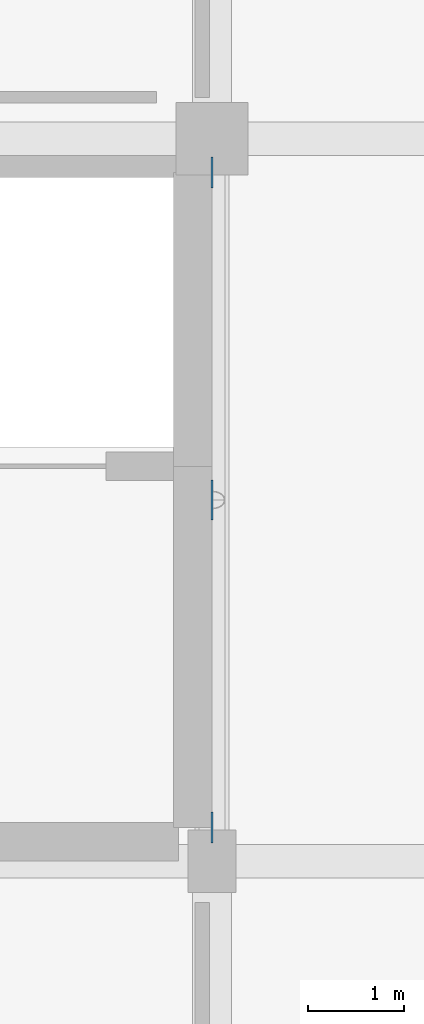
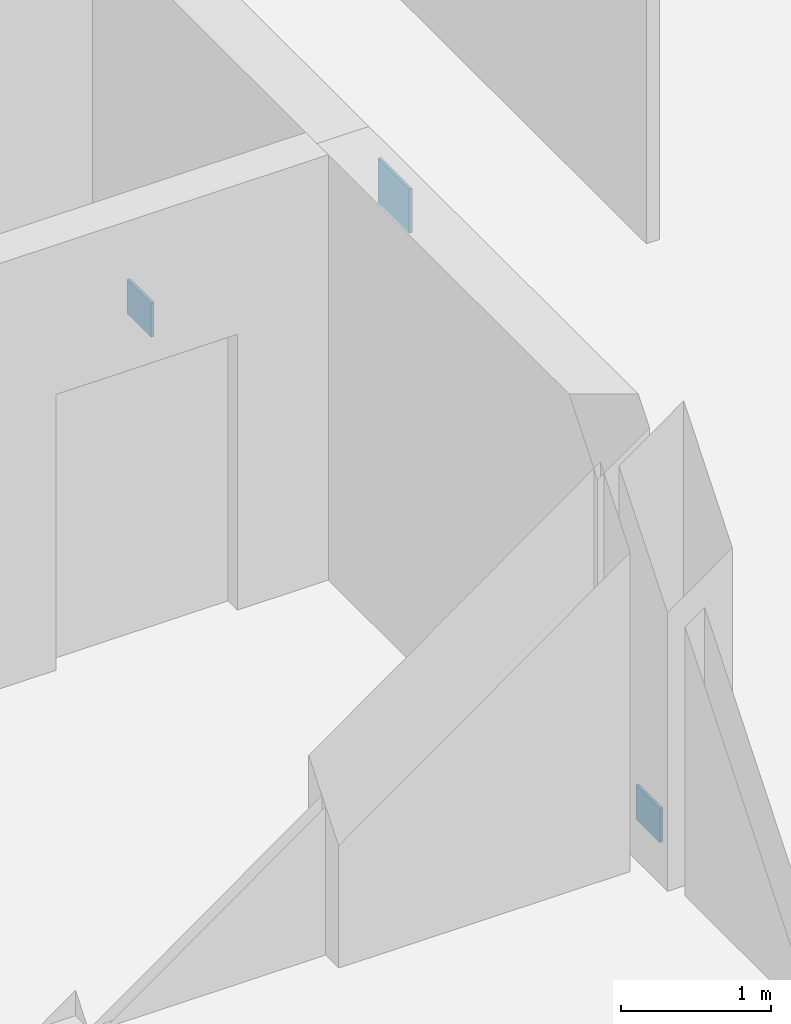
# One storey, part 12 of 43: 3 plates.
"""IFC4 building model written with IfcOpenShell, lengths in metres."""

from ifc_helpers import new_model, si_unit, direction, frame, origin, origin_2d, place, context, subcontext, project, spatial, rectangle, extrude, material, layer, layer_set, type_object, element, save


model = new_model("IFC4")

# Units and contexts
model_context = context("Model", 3, precision=1e-05, world=origin(), true_north=direction((0.0, 1.0)))
body_context = subcontext(model_context, "Body", "Model", "MODEL_VIEW")
ifc_project = project(units=[si_unit("LENGTHUNIT", "METRE"), si_unit("AREAUNIT", "SQUARE_METRE"), si_unit("VOLUMEUNIT", "CUBIC_METRE"), si_unit("PLANEANGLEUNIT", "RADIAN"), si_unit("MASSUNIT", "GRAM", prefix="KILO")], contexts=[model_context])

# Site, building, storey
site_placement = place(None, origin())
site = spatial("IfcSite", under=ifc_project, at=site_placement, CompositionType="ELEMENT")
building_placement = place(site_placement, origin())
building = spatial("IfcBuilding", under=site, at=building_placement, Name="Dalvernix Boulevard General Hospital", CompositionType="ELEMENT")
storey_placement = place(building_placement, frame((0.0, 0.0, 14.10009765625)))
storey = spatial("IfcBuildingStorey", under=building, at=storey_placement, Name="L03", CompositionType="ELEMENT", Elevation=14.10009765625)

# Plates
ifc_material = material(Name="Steel S355", Category="steel")
ifc_layer = layer(ifc_material, 0.02392578125)
ifc_layer_set = layer_set([ifc_layer], Name="Steel S355 (PLT-NP-02)")
plate_type = type_object("IfcPlateType", Name="PLT-NP-02", PredefinedType="SHEET", material=ifc_layer_set)
plate_placement = place(storey_placement, frame((15.0, 11.25, 2.93994140625), z_axis=(0.0, 0.0, 1.0), x_axis=(0.0, 1.0, 0.0)))
element("IfcPlate", 1, at=plate_placement, inside=storey, type_object=plate_type, Name="L03 brace apex gusset plate 1", PredefinedType="SHEET", context=body_context, shape_type="SweptSolid", body=[
    extrude(rectangle(XDim=0.419921875, YDim=0.02392578125, at=origin_2d()), origin(), (0.0, 0.0, 1.0), 0.360107421875),
])
for number, where, z_axis, x_axis, name in (
    (2, (15.0, 7.85009765625, 0.0), (0.0, 0.0, 1.0), (0.0, 1.0, 0.0), "L03 brace base gusset plate 1S"),
    (3, (15.0, 14.64990234375, 0.0), (0.0, 0.0, 1.0), (0.0, 1.0, 0.0), "L03 brace base gusset plate 1N"),
):
    element("IfcPlate", number, at=place(storey_placement, frame(where, z_axis=z_axis, x_axis=x_axis)), inside=storey, type_object=plate_type, Name=name, PredefinedType="SHEET", context=body_context, shape_type="SweptSolid", body=[
        extrude(rectangle(XDim=0.320068359375, YDim=0.02392578125, at=origin_2d()), origin(), (0.0, 0.0, 1.0), 0.280029296875),
    ])

save(model, "model.ifc")
